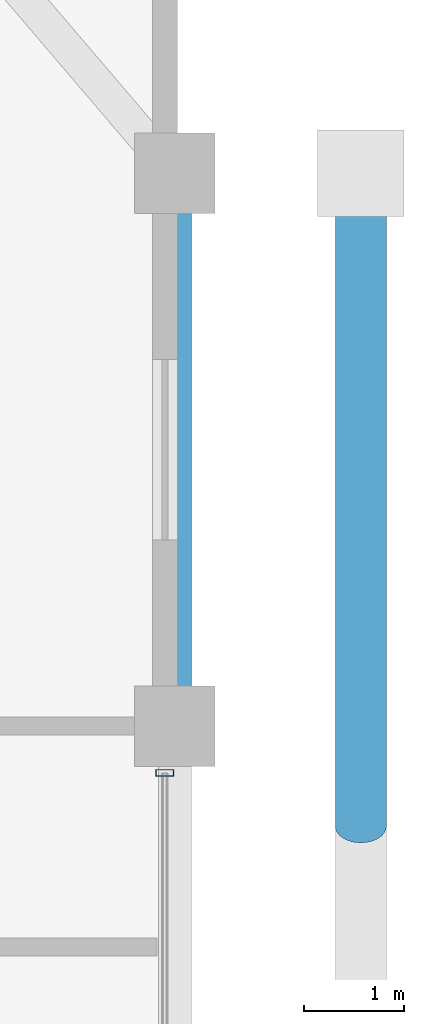
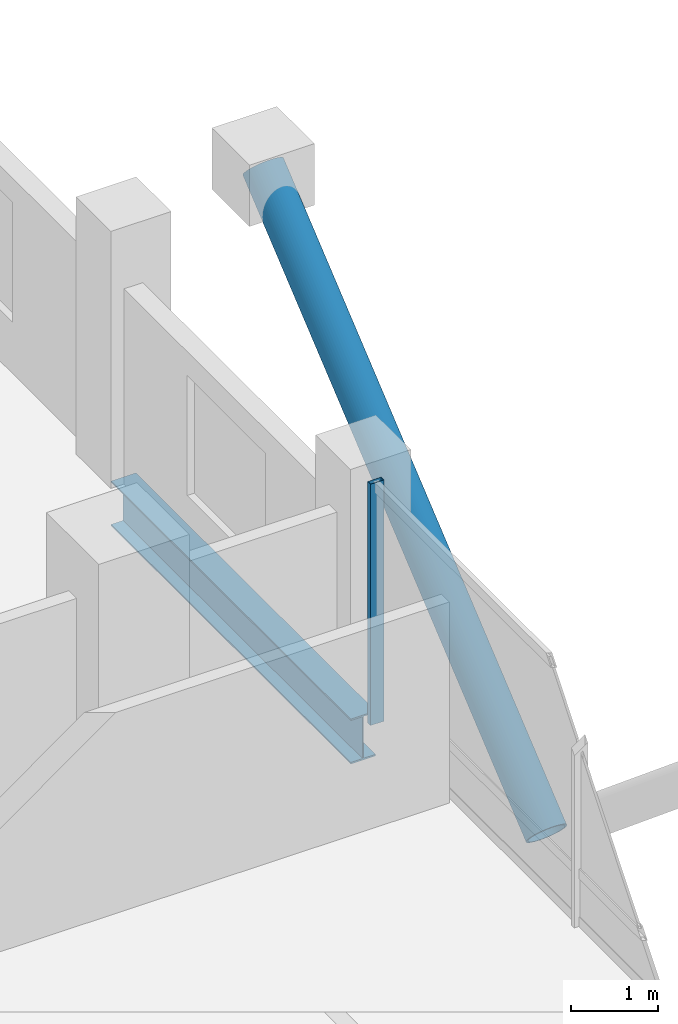
# One storey, part 15 of 23: 2 members, 1 beam, 1 element without a shape of its own.
"""IFC4 building model written with IfcOpenShell, lengths in metres."""

from ifc_helpers import new_model, si_unit, direction, frame, origin, origin_2d, place, context, subcontext, project, spatial, hollow_rectangle, hollow_circle, i_section, extrude, material, layer, layer_set, material_profile, profile_set, type_object, element, aggregate, save


model = new_model("IFC4")

# Units and contexts
model_context = context("Model", 3, precision=1e-05, world=origin(), true_north=direction((0.0, 1.0)))
body_context = subcontext(model_context, "Body", "Model", "MODEL_VIEW")
ifc_project = project(units=[si_unit("LENGTHUNIT", "METRE"), si_unit("AREAUNIT", "SQUARE_METRE"), si_unit("VOLUMEUNIT", "CUBIC_METRE"), si_unit("PLANEANGLEUNIT", "RADIAN"), si_unit("MASSUNIT", "GRAM", prefix="KILO")], contexts=[model_context])

# Site, building, storey
site_placement = place(None, origin())
site = spatial("IfcSite", under=ifc_project, at=site_placement, CompositionType="ELEMENT")
building_placement = place(site_placement, origin())
building = spatial("IfcBuilding", under=site, at=building_placement, Name="Barlavira Tower and Art Museum", CompositionType="ELEMENT")
storey_placement = place(building_placement, frame((0.0, 0.0, 140.39990234375)))
storey = spatial("IfcBuildingStorey", under=building, at=storey_placement, Name="L35", CompositionType="ELEMENT", Elevation=140.39990234375)

# Curtain wall, member
ifc_material_1 = material(Name="Low-iron coastal laminated glass", Category="glass")
ifc_layer = layer(ifc_material_1, 0.18994140625, Name="Low-iron coastal laminated glass")
ifc_layer_set = layer_set([ifc_layer], Name="Low-iron coastal laminated glass")
curtain_wall_type = type_object("IfcCurtainWallType", Name="Pale-Metal Unitised Curtain Wall Zone 2", PredefinedType="NOTDEFINED", material=ifc_layer_set)
curtain_wall_placement = place(storey_placement, origin())
curtain_wall = element("IfcCurtainWall", 1, at=curtain_wall_placement, inside=storey, type_object=curtain_wall_type, Name="L35 Curtain Wall CW2-L35-E-B3", PredefinedType="NOTDEFINED")
ifc_material_2 = material(Name="Pale anodised aluminium", Category="aluminium")
ifc_material_profile_1 = material_profile(ifc_material_2, hollow_rectangle(XDim=0.06494140625, YDim=0.179931640625, WallThickness=0.00390625, at=origin_2d()), Name="ALU-MULL 65x180x4")
ifc_profile_set_1 = profile_set([ifc_material_profile_1], Name="Pale anodised aluminium")
member_type_1 = type_object("IfcMemberType", Name="Curtain Wall Pale-Metal Mullion 65x180", PredefinedType="MULLION", material=ifc_profile_set_1)
member_1_placement = place(storey_placement, frame((20.14990234375, 7.034912109375, 0.0), z_axis=(0.0, 0.0, 1.0), x_axis=(0.0, 1.0, 0.0)))
member_1 = element("IfcMember", 2, at=member_1_placement, type_object=member_type_1, Name="CW2-L35-E-B3 Mullion 3", PredefinedType="MULLION", context=body_context, shape_type="SweptSolid", body=[
    extrude(hollow_rectangle(XDim=0.06494140625, YDim=0.179931640625, WallThickness=0.00390625, at=origin_2d()), origin(), (0.0, 0.0, 1.0), 3.380126953125),
])
aggregate(curtain_wall, [member_1])

# Member
ifc_material_3 = material(Name="Steel S355", Category="steel")
ifc_material_profile_2 = material_profile(ifc_material_3, hollow_circle(Radius=0.25390625, WallThickness=0.022216796875, at=origin_2d()), Name="CHS 508.0x22.2")
ifc_profile_set_2 = profile_set([ifc_material_profile_2], Name="Steel S355")
member_type_2 = type_object("IfcMemberType", Name="Pale-Metal Exoskeleton Diagrid Tube CHS 508x22 Steel S355", PredefinedType="BRACE", material=ifc_profile_set_2)
member_2_placement = place(storey_placement, frame((22.10009765625, 6.5, -1.919921875), z_axis=(0.0, 0.769196053329, 0.639012857104), x_axis=(-1.0, 0.0, 0.0)))
element("IfcMember", 3, at=member_2_placement, inside=storey, type_object=member_type_2, Name="L35 Exoskeleton Diagrid Tube E", PredefinedType="BRACE", context=body_context, shape_type="SweptSolid", body=[
    extrude(hollow_circle(Radius=0.25390625, WallThickness=0.022216796875, at=origin_2d()), origin(), (0.0, 0.0, 1.0), 8.450439453125),
])

# Beam
ifc_material_profile_3 = material_profile(ifc_material_3, i_section(OverallWidth=0.327880859375, OverallDepth=0.62890625, WebThickness=0.013916015625, FlangeThickness=0.021484375, at=origin_2d()), Name="W610x174.0")
ifc_profile_set_3 = profile_set([ifc_material_profile_3], Name="Steel S355")
beam_type = type_object("IfcBeamType", Name="Perimeter Spandrel Edge Beam W610x174 Steel S355", PredefinedType="SPANDREL", material=ifc_profile_set_3)
beam_placement = place(storey_placement, frame((20.25, 7.5, -0.534423828125), z_axis=(0.0, 1.0, 0.0), x_axis=(-1.0, 0.0, 0.0)))
element("IfcBeam", 4, at=beam_placement, inside=storey, type_object=beam_type, Name="L35 Spandrel 7", PredefinedType="SPANDREL", context=body_context, shape_type="SweptSolid", body=[
    extrude(i_section(OverallWidth=0.327880859375, OverallDepth=0.62890625, WebThickness=0.013916015625, FlangeThickness=0.021484375, at=origin_2d()), origin(), (0.0, 0.0, 1.0), 5.5),
])

save(model, "model.ifc")
